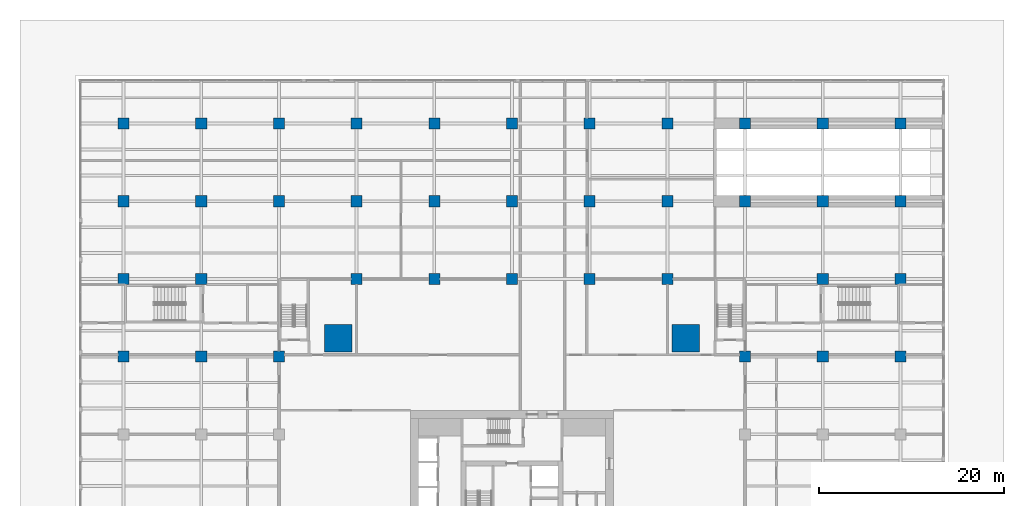
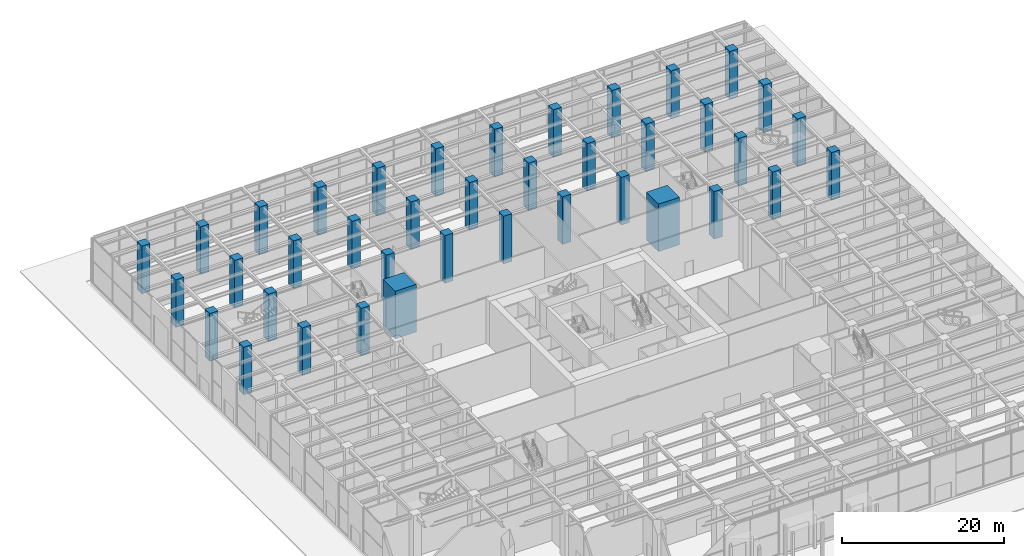
# One storey, part 2 of 43: 39 columns.
"""IFC4 building model written with IfcOpenShell, lengths in metres."""

from ifc_helpers import new_model, si_unit, direction, frame, origin, origin_2d, place, context, subcontext, project, spatial, rectangle, extrude, material, material_profile, profile_set, type_object, element, save


model = new_model("IFC4")

# Units and contexts
model_context = context("Model", 3, precision=1e-05, world=origin(), true_north=direction((0.0, 1.0)))
body_context = subcontext(model_context, "Body", "Model", "MODEL_VIEW")
ifc_project = project(units=[si_unit("LENGTHUNIT", "METRE"), si_unit("AREAUNIT", "SQUARE_METRE"), si_unit("VOLUMEUNIT", "CUBIC_METRE"), si_unit("PLANEANGLEUNIT", "RADIAN"), si_unit("MASSUNIT", "GRAM", prefix="KILO")], contexts=[model_context])

# Site, building, storey
site_placement = place(None, origin())
site = spatial("IfcSite", under=ifc_project, at=site_placement, CompositionType="ELEMENT")
building_placement = place(site_placement, origin())
building = spatial("IfcBuilding", under=site, at=building_placement, Name="Khepri Terraces", CompositionType="ELEMENT")
storey_placement = place(building_placement, origin())
storey = spatial("IfcBuildingStorey", under=building, at=storey_placement, Name="L00", CompositionType="ELEMENT", Elevation=0.0)

# Columns
ifc_material_1 = material(Name="Concrete C80/95", Category="concrete")
ifc_material_profile_1 = material_profile(ifc_material_1, rectangle(XDim=3.0, YDim=3.0, at=origin_2d()), Name="Concrete C80/95", Category="concrete")
ifc_profile_set_1 = profile_set([ifc_material_profile_1], Name="Concrete C80/95")
column_type_1 = type_object("IfcColumnType", Name="Mega column RC 3000x3000 C80/95", PredefinedType="COLUMN", material=ifc_profile_set_1)
for number, where, z_axis, x_axis, name in (
    (1, (18.800048828125, 18.800048828125, 0.0), (0.0, 0.0, 1.0), (1.0, 0.0, 0.0), "Mega column MEN L00"),
    (2, (-18.800048828125, 18.800048828125, 0.0), (0.0, 0.0, 1.0), (1.0, 0.0, 0.0), "Mega column MWN L00"),
):
    element("IfcColumn", number, at=place(storey_placement, frame(where, z_axis=z_axis, x_axis=x_axis)), inside=storey, type_object=column_type_1, Name=name, PredefinedType="COLUMN", context=body_context, shape_type="SweptSolid", body=[
        extrude(rectangle(XDim=3.0, YDim=3.0, at=origin_2d()), origin(), (0.0, 0.0, 1.0), 7.199951171875),
    ])
ifc_material_2 = material(Name="Concrete C60/75", Category="concrete")
ifc_material_profile_2 = material_profile(ifc_material_2, rectangle(XDim=1.199951171875, YDim=1.199951171875, at=origin_2d()), Name="Concrete C60/75", Category="concrete")
ifc_profile_set_2 = profile_set([ifc_material_profile_2], Name="Concrete C60/75")
column_type_2 = type_object("IfcColumnType", Name="Podium column RC 1200x1200 C60/75", PredefinedType="COLUMN", material=ifc_profile_set_2)
for number, where, z_axis, x_axis, name in (
    (3, (0.0, 33.60009765625, 0.0), (0.0, 0.0, 1.0), (1.0, 0.0, 0.0), "Podium column G+000+336 L00"),
    (4, (0.0, 42.0, 0.0), (0.0, 0.0, 1.0), (1.0, 0.0, 0.0), "Podium column G+000+420 L00"),
    (5, (8.39990234375, 33.60009765625, 0.0), (0.0, 0.0, 1.0), (1.0, 0.0, 0.0), "Podium column G+084+336 L00"),
    (6, (8.39990234375, 42.0, 0.0), (0.0, 0.0, 1.0), (1.0, 0.0, 0.0), "Podium column G+084+420 L00"),
    (7, (16.800048828125, 33.60009765625, 0.0), (0.0, 0.0, 1.0), (1.0, 0.0, 0.0), "Podium column G+168+336 L00"),
    (8, (16.800048828125, 42.0, 0.0), (0.0, 0.0, 1.0), (1.0, 0.0, 0.0), "Podium column G+168+420 L00"),
    (9, (25.199951171875, 33.60009765625, 0.0), (0.0, 0.0, 1.0), (1.0, 0.0, 0.0), "Podium column G+252+336 L00"),
    (10, (25.199951171875, 42.0, 0.0), (0.0, 0.0, 1.0), (1.0, 0.0, 0.0), "Podium column G+252+420 L00"),
    (11, (33.60009765625, 16.800048828125, 0.0), (0.0, 0.0, 1.0), (1.0, 0.0, 0.0), "Podium column G+336+168 L00"),
    (12, (33.60009765625, 25.199951171875, 0.0), (0.0, 0.0, 1.0), (1.0, 0.0, 0.0), "Podium column G+336+252 L00"),
    (13, (33.60009765625, 33.60009765625, 0.0), (0.0, 0.0, 1.0), (1.0, 0.0, 0.0), "Podium column G+336+336 L00"),
    (14, (33.60009765625, 42.0, 0.0), (0.0, 0.0, 1.0), (1.0, 0.0, 0.0), "Podium column G+336+420 L00"),
    (15, (42.0, 16.800048828125, 0.0), (0.0, 0.0, 1.0), (1.0, 0.0, 0.0), "Podium column G+420+168 L00"),
    (16, (42.0, 25.199951171875, 0.0), (0.0, 0.0, 1.0), (1.0, 0.0, 0.0), "Podium column G+420+252 L00"),
    (17, (42.0, 33.60009765625, 0.0), (0.0, 0.0, 1.0), (1.0, 0.0, 0.0), "Podium column G+420+336 L00"),
    (18, (42.0, 42.0, 0.0), (0.0, 0.0, 1.0), (1.0, 0.0, 0.0), "Podium column G+420+420 L00"),
    (19, (-8.39990234375, 33.60009765625, 0.0), (0.0, 0.0, 1.0), (1.0, 0.0, 0.0), "Podium column G-084+336 L00"),
    (20, (-8.39990234375, 42.0, 0.0), (0.0, 0.0, 1.0), (1.0, 0.0, 0.0), "Podium column G-084+420 L00"),
    (21, (-16.800048828125, 33.60009765625, 0.0), (0.0, 0.0, 1.0), (1.0, 0.0, 0.0), "Podium column G-168+336 L00"),
    (22, (-16.800048828125, 42.0, 0.0), (0.0, 0.0, 1.0), (1.0, 0.0, 0.0), "Podium column G-168+420 L00"),
    (23, (-25.199951171875, 33.60009765625, 0.0), (0.0, 0.0, 1.0), (1.0, 0.0, 0.0), "Podium column G-252+336 L00"),
    (24, (-25.199951171875, 42.0, 0.0), (0.0, 0.0, 1.0), (1.0, 0.0, 0.0), "Podium column G-252+420 L00"),
    (25, (-33.60009765625, 16.800048828125, 0.0), (0.0, 0.0, 1.0), (1.0, 0.0, 0.0), "Podium column G-336+168 L00"),
    (26, (-33.60009765625, 25.199951171875, 0.0), (0.0, 0.0, 1.0), (1.0, 0.0, 0.0), "Podium column G-336+252 L00"),
    (27, (-33.60009765625, 33.60009765625, 0.0), (0.0, 0.0, 1.0), (1.0, 0.0, 0.0), "Podium column G-336+336 L00"),
    (28, (-33.60009765625, 42.0, 0.0), (0.0, 0.0, 1.0), (1.0, 0.0, 0.0), "Podium column G-336+420 L00"),
    (29, (-42.0, 16.800048828125, 0.0), (0.0, 0.0, 1.0), (1.0, 0.0, 0.0), "Podium column G-420+168 L00"),
    (30, (-42.0, 25.199951171875, 0.0), (0.0, 0.0, 1.0), (1.0, 0.0, 0.0), "Podium column G-420+252 L00"),
    (31, (-42.0, 33.60009765625, 0.0), (0.0, 0.0, 1.0), (1.0, 0.0, 0.0), "Podium column G-420+336 L00"),
    (32, (-42.0, 42.0, 0.0), (0.0, 0.0, 1.0), (1.0, 0.0, 0.0), "Podium column G-420+420 L00"),
):
    element("IfcColumn", number, at=place(storey_placement, frame(where, z_axis=z_axis, x_axis=x_axis)), inside=storey, type_object=column_type_2, Name=name, PredefinedType="COLUMN", context=body_context, shape_type="SweptSolid", body=[
        extrude(rectangle(XDim=1.199951171875, YDim=1.199951171875, at=origin_2d()), origin(), (0.0, 0.0, 1.0), 7.199951171875),
    ])
ifc_material_profile_3 = material_profile(ifc_material_1, rectangle(XDim=1.199951171875, YDim=1.199951171875, at=origin_2d()), Name="Concrete C80/95", Category="concrete")
ifc_profile_set_3 = profile_set([ifc_material_profile_3], Name="Concrete C80/95")
column_type_3 = type_object("IfcColumnType", Name="Tower column RC 1200x1200 C80/95", PredefinedType="COLUMN", material=ifc_profile_set_3)
for number, where, z_axis, x_axis, name in (
    (33, (25.199951171875, 16.800048828125, 0.0), (0.0, 0.0, 1.0), (1.0, 0.0, 0.0), "Perimeter column PE+168a L00"),
    (34, (0.0, 25.199951171875, 0.0), (0.0, 0.0, 1.0), (1.0, 0.0, 0.0), "Perimeter column PN+000a L00"),
    (35, (-8.39990234375, 25.199951171875, 0.0), (0.0, 0.0, 1.0), (1.0, 0.0, 0.0), "Perimeter column PN+084a L00"),
    (36, (-16.800048828125, 25.199951171875, 0.0), (0.0, 0.0, 1.0), (1.0, 0.0, 0.0), "Perimeter column PN+168a L00"),
    (37, (8.39990234375, 25.199951171875, 0.0), (0.0, 0.0, 1.0), (1.0, 0.0, 0.0), "Perimeter column PN-084a L00"),
    (38, (16.800048828125, 25.199951171875, 0.0), (0.0, 0.0, 1.0), (1.0, 0.0, 0.0), "Perimeter column PN-168a L00"),
    (39, (-25.199951171875, 16.800048828125, 0.0), (0.0, 0.0, 1.0), (1.0, 0.0, 0.0), "Perimeter column PW-168a L00"),
):
    element("IfcColumn", number, at=place(storey_placement, frame(where, z_axis=z_axis, x_axis=x_axis)), inside=storey, type_object=column_type_3, Name=name, PredefinedType="COLUMN", context=body_context, shape_type="SweptSolid", body=[
        extrude(rectangle(XDim=1.199951171875, YDim=1.199951171875, at=origin_2d()), origin(), (0.0, 0.0, 1.0), 7.199951171875),
    ])

save(model, "model.ifc")
